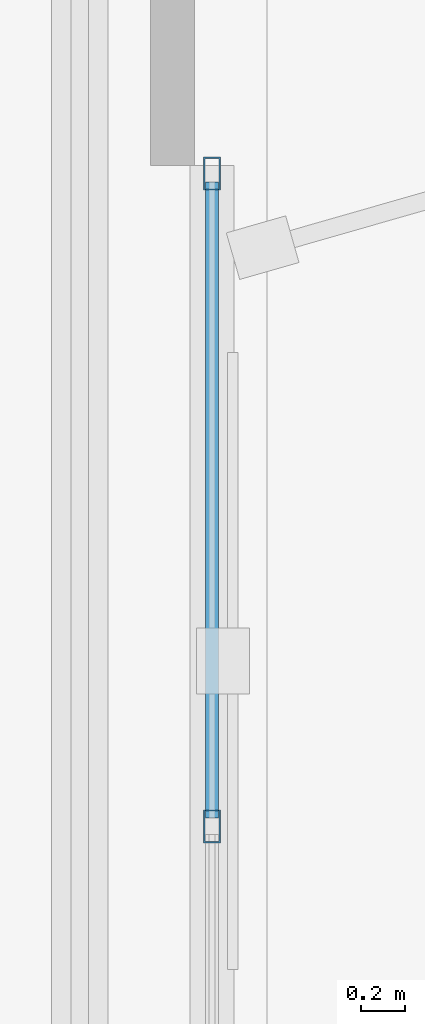
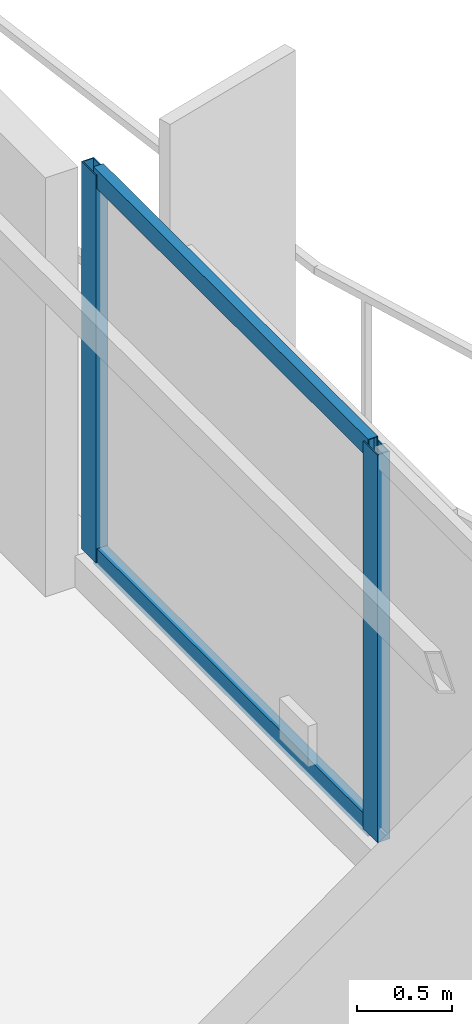
# One storey, part 13 of 22: 4 members, 1 element without a shape of its own.
"""IFC4 building model written with IfcOpenShell, lengths in metres."""

from ifc_helpers import new_model, si_unit, direction, frame, origin, origin_2d, place, context, subcontext, project, spatial, hollow_rectangle, extrude, material, layer, layer_set, material_profile, profile_set, type_object, element, aggregate, save


model = new_model("IFC4")

# Units and contexts
model_context = context("Model", 3, precision=1e-05, world=origin(), true_north=direction((0.0, 1.0)))
body_context = subcontext(model_context, "Body", "Model", "MODEL_VIEW")
ifc_project = project(units=[si_unit("LENGTHUNIT", "METRE"), si_unit("AREAUNIT", "SQUARE_METRE"), si_unit("VOLUMEUNIT", "CUBIC_METRE"), si_unit("PLANEANGLEUNIT", "RADIAN"), si_unit("MASSUNIT", "GRAM", prefix="KILO")], contexts=[model_context])

# Site, building, storey
site_placement = place(None, origin())
site = spatial("IfcSite", under=ifc_project, at=site_placement, CompositionType="ELEMENT")
building_placement = place(site_placement, origin())
building = spatial("IfcBuilding", under=site, at=building_placement, Name="Mersakhor Tower and Convention Hall", CompositionType="ELEMENT")
storey_placement = place(building_placement, frame((0.0, 0.0, 201.89990234375)))
storey = spatial("IfcBuildingStorey", under=building, at=storey_placement, Name="L56", CompositionType="ELEMENT", Elevation=201.89990234375)

# Curtain wall, members
ifc_material_1 = material(Name="Dark solar low-E aluminium curtain wall", Category="aluminium")
ifc_layer = layer(ifc_material_1, 0.169921875)
ifc_layer_set = layer_set([ifc_layer], Name="Dark solar low-E aluminium curtain wall")
curtain_wall_type = type_object("IfcCurtainWallType", Name="CW-SYS-02", PredefinedType="USERDEFINED", material=ifc_layer_set)
curtain_wall_placement = place(storey_placement, origin())
curtain_wall = element("IfcCurtainWall", 1, at=curtain_wall_placement, inside=storey, type_object=curtain_wall_type, Name="L56 Dark-Glass Curtain Wall F2-B2", ObjectType="CURTAIN WALL", PredefinedType="USERDEFINED")
ifc_material_2 = material(Name="Anodised aluminium EN AW-6063 T6", Category="aluminium")
ifc_material_profile_1 = material_profile(ifc_material_2, hollow_rectangle(XDim=0.074951171875, YDim=0.14990234375, WallThickness=0.00634765625, at=origin_2d()), Name="RHS 150x75x6.3")
ifc_profile_set_1 = profile_set([ifc_material_profile_1], Name="Anodised aluminium EN AW-6063 T6")
member_type_1 = type_object("IfcMemberType", Name="CWM-150x75", PredefinedType="MULLION", material=ifc_profile_set_1)
member_1_placement = place(storey_placement, frame((40.58837890625, 31.2119140625, 0.2001953125), z_axis=(0.0, 0.0, 1.0), x_axis=(1.0, 0.0, 0.0)))
member_1 = element("IfcMember", 2, at=member_1_placement, type_object=member_type_1, Name="CW-02 mullion 1", PredefinedType="MULLION", context=body_context, shape_type="SweptSolid", body=[
    extrude(hollow_rectangle(XDim=0.074951171875, YDim=0.14990234375, WallThickness=0.00634765625, at=origin_2d()), origin(), (0.0, 0.0, 1.0), 2.489990234375),
])
member_2_placement = place(storey_placement, frame((40.58837890625, 28.249755859375, 0.2001953125), z_axis=(0.0, 0.0, 1.0), x_axis=(1.0, 0.0, 0.0)))
member_2 = element("IfcMember", 3, at=member_2_placement, type_object=member_type_1, Name="CW-02 mullion 2", PredefinedType="MULLION", context=body_context, shape_type="SweptSolid", body=[
    extrude(hollow_rectangle(XDim=0.074951171875, YDim=0.14990234375, WallThickness=0.00634765625, at=origin_2d()), origin(), (0.0, 0.0, 1.0), 2.489990234375),
])
ifc_material_3 = material(Name="Anodised aluminium EN AW-6063 T6", Category="aluminium")
ifc_material_profile_2 = material_profile(ifc_material_3, hollow_rectangle(XDim=0.06005859375, YDim=0.1201171875, WallThickness=0.0048828125, at=origin_2d()), Name="RHS 120x60x5")
ifc_profile_set_2 = profile_set([ifc_material_profile_2], Name="Anodised aluminium EN AW-6063 T6")
member_type_2 = type_object("IfcMemberType", Name="CWT-120x60", PredefinedType="USERDEFINED", material=ifc_profile_set_2)
member_3_placement = place(storey_placement, frame((40.58837890625, 31.174560546875, 0.22998046875), z_axis=(0.0, -1.0, 0.0), x_axis=(1.0, 0.0, 0.0)))
member_3 = element("IfcMember", 4, at=member_3_placement, type_object=member_type_2, Name="CW-02 transom 1.1", ObjectType="TRANSOM", PredefinedType="USERDEFINED", context=body_context, shape_type="SweptSolid", body=[
    extrude(hollow_rectangle(XDim=0.06005859375, YDim=0.1201171875, WallThickness=0.0048828125, at=origin_2d()), origin(), (0.0, 0.0, 1.0), 2.88720703125),
])
member_4_placement = place(storey_placement, frame((40.58837890625, 31.174560546875, 2.66015625), z_axis=(0.0, -1.0, 0.0), x_axis=(1.0, 0.0, 0.0)))
member_4 = element("IfcMember", 5, at=member_4_placement, type_object=member_type_2, Name="CW-02 transom 1.2", ObjectType="TRANSOM", PredefinedType="USERDEFINED", context=body_context, shape_type="SweptSolid", body=[
    extrude(hollow_rectangle(XDim=0.06005859375, YDim=0.1201171875, WallThickness=0.0048828125, at=origin_2d()), origin(), (0.0, 0.0, 1.0), 2.88720703125),
])
aggregate(curtain_wall, [member_1, member_2, member_3, member_4])

save(model, "model.ifc")
